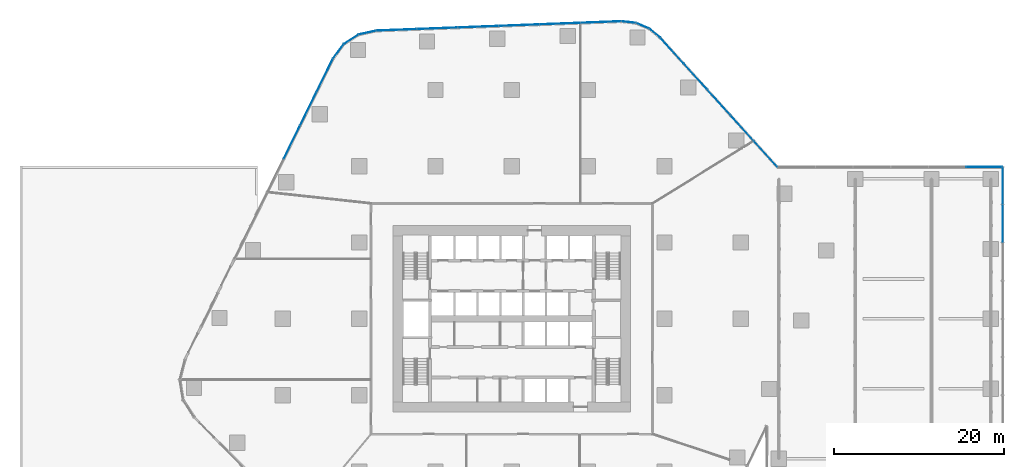
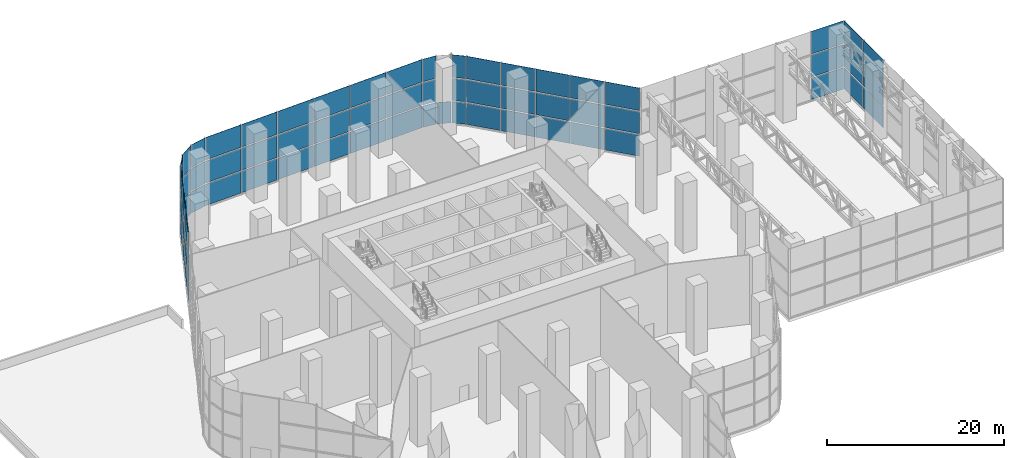
# One storey, part 14 of 21: 67 plates, 7 elements without a shape of their own.
"""IFC4 building model written with IfcOpenShell, lengths in metres."""

from ifc_helpers import new_model, si_unit, direction, frame, origin, origin_2d, place, context, subcontext, project, spatial, rectangle, extrude, material, layer, layer_set, type_object, element, aggregate, save


model = new_model("IFC4")

# Units and contexts
model_context = context("Model", 3, precision=1e-05, world=origin(), true_north=direction((0.0, 1.0)))
body_context = subcontext(model_context, "Body", "Model", "MODEL_VIEW")
ifc_project = project(units=[si_unit("LENGTHUNIT", "METRE"), si_unit("AREAUNIT", "SQUARE_METRE"), si_unit("VOLUMEUNIT", "CUBIC_METRE"), si_unit("PLANEANGLEUNIT", "RADIAN"), si_unit("MASSUNIT", "GRAM", prefix="KILO")], contexts=[model_context])

# Site, building, storey
site_placement = place(None, origin())
site = spatial("IfcSite", under=ifc_project, at=site_placement, CompositionType="ELEMENT")
building_placement = place(site_placement, origin())
building = spatial("IfcBuilding", under=site, at=building_placement, Name="Dongbaek Canopy Tower", CompositionType="ELEMENT")
storey_placement = place(building_placement, frame((0.0, 0.0, 9.0)))
storey = spatial("IfcBuildingStorey", under=building, at=storey_placement, Name="L01", CompositionType="ELEMENT", Elevation=9.0)

# Curtain wall, plates
ifc_material_1 = material(Name="Aluminium 6063-T6 pale anodised", Category="aluminium")
ifc_layer_1 = layer(ifc_material_1, 0.300048828125)
ifc_layer_set_1 = layer_set([ifc_layer_1], Name="CW-2 podium hall curtain wall")
curtain_wall_type = type_object("IfcCurtainWallType", Name="CW-2 podium hall curtain wall", PredefinedType="NOTDEFINED", material=ifc_layer_set_1)
curtain_wall_1_placement = place(storey_placement, origin())
curtain_wall_1 = element("IfcCurtainWall", 1, at=curtain_wall_1_placement, inside=storey, type_object=curtain_wall_type, Name="CW-2 curtain wall F3.1", PredefinedType="NOTDEFINED")
ifc_material_2 = material(Name="Clear laminated glass", Category="glass")
ifc_layer_2 = layer(ifc_material_2, 0.035888671875)
ifc_layer_set_2 = layer_set([ifc_layer_2], Name="CW-2 glazed panel 36")
plate_type_1 = type_object("IfcPlateType", Name="CW-2 glazed panel 36", PredefinedType="CURTAIN_PANEL", material=ifc_layer_set_2)
plate_1_placement = place(storey_placement, frame((57.89990234375, 11.25, 0.159912109375), z_axis=(0.0, 0.0, 1.0), x_axis=(0.0, 1.0, 0.0)))
plate_1 = element("IfcPlate", 2, at=plate_1_placement, type_object=plate_type_1, Name="CW-2 panel F3.1.7.1", PredefinedType="CURTAIN_PANEL", context=body_context, shape_type="SweptSolid", body=[
    extrude(rectangle(XDim=4.39599609375, YDim=0.035888671875, at=origin_2d()), origin(), (0.0, 0.0, 1.0), 2.943359375),
])
plate_2_placement = place(storey_placement, frame((57.89990234375, 11.25, 3.26318359375), z_axis=(0.0, 0.0, 1.0), x_axis=(0.0, 1.0, 0.0)))
plate_2 = element("IfcPlate", 3, at=plate_2_placement, type_object=plate_type_1, Name="CW-2 panel F3.1.7.2", PredefinedType="CURTAIN_PANEL", context=body_context, shape_type="SweptSolid", body=[
    extrude(rectangle(XDim=4.39599609375, YDim=0.035888671875, at=origin_2d()), origin(), (0.0, 0.0, 1.0), 3.0234375),
])
plate_3_placement = place(storey_placement, frame((57.89990234375, 15.699951171875, 0.159912109375), z_axis=(0.0, 0.0, 1.0), x_axis=(0.0, 1.0, 0.0)))
plate_3 = element("IfcPlate", 4, at=plate_3_placement, type_object=plate_type_1, Name="CW-2 panel F3.1.8.1", PredefinedType="CURTAIN_PANEL", context=body_context, shape_type="SweptSolid", body=[
    extrude(rectangle(XDim=4.2958984375, YDim=0.035888671875, at=origin_2d()), origin(), (0.0, 0.0, 1.0), 2.943359375),
])
plate_4_placement = place(storey_placement, frame((57.89990234375, 15.699951171875, 3.26318359375), z_axis=(0.0, 0.0, 1.0), x_axis=(0.0, 1.0, 0.0)))
plate_4 = element("IfcPlate", 5, at=plate_4_placement, type_object=plate_type_1, Name="CW-2 panel F3.1.8.2", PredefinedType="CURTAIN_PANEL", context=body_context, shape_type="SweptSolid", body=[
    extrude(rectangle(XDim=4.2958984375, YDim=0.035888671875, at=origin_2d()), origin(), (0.0, 0.0, 1.0), 3.0234375),
])

curtain_wall_2_placement = place(storey_placement, origin())
curtain_wall_2 = element("IfcCurtainWall", 6, at=curtain_wall_2_placement, inside=storey, type_object=curtain_wall_type, Name="CW-2 curtain wall F4.1", PredefinedType="NOTDEFINED")
plate_5_placement = place(storey_placement, frame((55.73193359375, 17.89990234375, 0.159912109375), z_axis=(0.0, 0.0, 1.0), x_axis=(-1.0, 0.0, 0.0)))
plate_5 = element("IfcPlate", 7, at=plate_5_placement, type_object=plate_type_1, Name="CW-2 panel F4.1.1.1", PredefinedType="CURTAIN_PANEL", context=body_context, shape_type="SweptSolid", body=[
    extrude(rectangle(XDim=4.232177734375, YDim=0.035888671875, at=origin_2d()), origin(), (0.0, 0.0, 1.0), 2.943359375),
])
plate_6_placement = place(storey_placement, frame((55.73193359375, 17.89990234375, 3.26318359375), z_axis=(0.0, 0.0, 1.0), x_axis=(-1.0, 0.0, 0.0)))
plate_6 = element("IfcPlate", 8, at=plate_6_placement, type_object=plate_type_1, Name="CW-2 panel F4.1.1.2", PredefinedType="CURTAIN_PANEL", context=body_context, shape_type="SweptSolid", body=[
    extrude(rectangle(XDim=4.232177734375, YDim=0.035888671875, at=origin_2d()), origin(), (0.0, 0.0, 1.0), 3.0234375),
])

curtain_wall_3_placement = place(storey_placement, origin())
curtain_wall_3 = element("IfcCurtainWall", 9, at=curtain_wall_3_placement, inside=storey, type_object=curtain_wall_type, Name="CW-2 curtain wall F5.1", PredefinedType="NOTDEFINED")
plate_7_placement = place(storey_placement, frame((29.94482421875, 19.43896484375, 0.159912109375), z_axis=(0.0, 0.0, 1.0), x_axis=(-0.671259707711, 0.741222237121, 0.0)))
plate_7 = element("IfcPlate", 10, at=plate_7_placement, type_object=plate_type_1, Name="CW-2 panel F5.1.1.1", PredefinedType="CURTAIN_PANEL", context=body_context, shape_type="SweptSolid", body=[
    extrude(rectangle(XDim=4.04833984375, YDim=0.035888671875, at=origin_2d()), origin(), (0.0, 0.0, 1.0), 2.943359375),
])
plate_8_placement = place(storey_placement, frame((29.94482421875, 19.43896484375, 3.26318359375), z_axis=(0.0, 0.0, 1.0), x_axis=(-0.671259707711, 0.741222237121, 0.0)))
plate_8 = element("IfcPlate", 11, at=plate_8_placement, type_object=plate_type_1, Name="CW-2 panel F5.1.1.2", PredefinedType="CURTAIN_PANEL", context=body_context, shape_type="SweptSolid", body=[
    extrude(rectangle(XDim=4.04833984375, YDim=0.035888671875, at=origin_2d()), origin(), (0.0, 0.0, 1.0), 3.0234375),
])
plate_9_placement = place(storey_placement, frame((29.94482421875, 19.43896484375, 6.44677734375), z_axis=(0.0, 0.0, 1.0), x_axis=(-0.671259707711, 0.741222237121, 0.0)))
plate_9 = element("IfcPlate", 12, at=plate_9_placement, type_object=plate_type_1, Name="CW-2 panel F5.1.1.3", PredefinedType="CURTAIN_PANEL", context=body_context, shape_type="SweptSolid", body=[
    extrude(rectangle(XDim=4.04833984375, YDim=0.035888671875, at=origin_2d()), origin(), (0.0, 0.0, 1.0), 3.103271484375),
])
plate_10_placement = place(storey_placement, frame((27.172607421875, 22.500244140625, 0.159912109375), z_axis=(0.0, 0.0, 1.0), x_axis=(-0.671259707711, 0.741222237121, 0.0)))
plate_10 = element("IfcPlate", 13, at=plate_10_placement, type_object=plate_type_1, Name="CW-2 panel F5.1.2.1", PredefinedType="CURTAIN_PANEL", context=body_context, shape_type="SweptSolid", body=[
    extrude(rectangle(XDim=4.00390625, YDim=0.035888671875, at=origin_2d()), origin(), (0.0, 0.0, 1.0), 2.943359375),
])
plate_11_placement = place(storey_placement, frame((27.172607421875, 22.500244140625, 3.26318359375), z_axis=(0.0, 0.0, 1.0), x_axis=(-0.671259707711, 0.741222237121, 0.0)))
plate_11 = element("IfcPlate", 14, at=plate_11_placement, type_object=plate_type_1, Name="CW-2 panel F5.1.2.2", PredefinedType="CURTAIN_PANEL", context=body_context, shape_type="SweptSolid", body=[
    extrude(rectangle(XDim=4.00390625, YDim=0.035888671875, at=origin_2d()), origin(), (0.0, 0.0, 1.0), 3.0234375),
])
plate_12_placement = place(storey_placement, frame((27.172607421875, 22.500244140625, 6.44677734375), z_axis=(0.0, 0.0, 1.0), x_axis=(-0.671259707711, 0.741222237121, 0.0)))
plate_12 = element("IfcPlate", 15, at=plate_12_placement, type_object=plate_type_1, Name="CW-2 panel F5.1.2.3", PredefinedType="CURTAIN_PANEL", context=body_context, shape_type="SweptSolid", body=[
    extrude(rectangle(XDim=4.00390625, YDim=0.035888671875, at=origin_2d()), origin(), (0.0, 0.0, 1.0), 3.103271484375),
])
plate_13_placement = place(storey_placement, frame((24.4150390625, 25.544921875, 0.159912109375), z_axis=(0.0, 0.0, 1.0), x_axis=(-0.671259707711, 0.741222237121, 0.0)))
plate_13 = element("IfcPlate", 16, at=plate_13_placement, type_object=plate_type_1, Name="CW-2 panel F5.1.3.1", PredefinedType="CURTAIN_PANEL", context=body_context, shape_type="SweptSolid", body=[
    extrude(rectangle(XDim=4.00390625, YDim=0.035888671875, at=origin_2d()), origin(), (0.0, 0.0, 1.0), 2.943359375),
])
plate_14_placement = place(storey_placement, frame((24.4150390625, 25.544921875, 3.26318359375), z_axis=(0.0, 0.0, 1.0), x_axis=(-0.671259707711, 0.741222237121, 0.0)))
plate_14 = element("IfcPlate", 17, at=plate_14_placement, type_object=plate_type_1, Name="CW-2 panel F5.1.3.2", PredefinedType="CURTAIN_PANEL", context=body_context, shape_type="SweptSolid", body=[
    extrude(rectangle(XDim=4.00390625, YDim=0.035888671875, at=origin_2d()), origin(), (0.0, 0.0, 1.0), 3.0234375),
])
plate_15_placement = place(storey_placement, frame((24.4150390625, 25.544921875, 6.44677734375), z_axis=(0.0, 0.0, 1.0), x_axis=(-0.671259707711, 0.741222237121, 0.0)))
plate_15 = element("IfcPlate", 18, at=plate_15_placement, type_object=plate_type_1, Name="CW-2 panel F5.1.3.3", PredefinedType="CURTAIN_PANEL", context=body_context, shape_type="SweptSolid", body=[
    extrude(rectangle(XDim=4.00390625, YDim=0.035888671875, at=origin_2d()), origin(), (0.0, 0.0, 1.0), 3.103271484375),
])
plate_16_placement = place(storey_placement, frame((21.65771484375, 28.58984375, 0.159912109375), z_axis=(0.0, 0.0, 1.0), x_axis=(-0.671259707711, 0.741222237121, 0.0)))
plate_16 = element("IfcPlate", 19, at=plate_16_placement, type_object=plate_type_1, Name="CW-2 panel F5.1.4.1", PredefinedType="CURTAIN_PANEL", context=body_context, shape_type="SweptSolid", body=[
    extrude(rectangle(XDim=4.00390625, YDim=0.035888671875, at=origin_2d()), origin(), (0.0, 0.0, 1.0), 2.943359375),
])
plate_17_placement = place(storey_placement, frame((21.65771484375, 28.58984375, 3.26318359375), z_axis=(0.0, 0.0, 1.0), x_axis=(-0.671259707711, 0.741222237121, 0.0)))
plate_17 = element("IfcPlate", 20, at=plate_17_placement, type_object=plate_type_1, Name="CW-2 panel F5.1.4.2", PredefinedType="CURTAIN_PANEL", context=body_context, shape_type="SweptSolid", body=[
    extrude(rectangle(XDim=4.00390625, YDim=0.035888671875, at=origin_2d()), origin(), (0.0, 0.0, 1.0), 3.0234375),
])
plate_18_placement = place(storey_placement, frame((21.65771484375, 28.58984375, 6.44677734375), z_axis=(0.0, 0.0, 1.0), x_axis=(-0.671259707711, 0.741222237121, 0.0)))
plate_18 = element("IfcPlate", 21, at=plate_18_placement, type_object=plate_type_1, Name="CW-2 panel F5.1.4.3", PredefinedType="CURTAIN_PANEL", context=body_context, shape_type="SweptSolid", body=[
    extrude(rectangle(XDim=4.00390625, YDim=0.035888671875, at=origin_2d()), origin(), (0.0, 0.0, 1.0), 3.103271484375),
])
plate_19_placement = place(storey_placement, frame((18.902587890625, 31.632080078125, 0.159912109375), z_axis=(0.0, 0.0, 1.0), x_axis=(-0.671259707711, 0.741222237121, 0.0)))
plate_19 = element("IfcPlate", 22, at=plate_19_placement, type_object=plate_type_1, Name="CW-2 panel F5.1.5.1", PredefinedType="CURTAIN_PANEL", context=body_context, shape_type="SweptSolid", body=[
    extrude(rectangle(XDim=3.99658203125, YDim=0.035888671875, at=origin_2d()), origin(), (0.0, 0.0, 1.0), 2.943359375),
])
plate_20_placement = place(storey_placement, frame((18.902587890625, 31.632080078125, 3.26318359375), z_axis=(0.0, 0.0, 1.0), x_axis=(-0.671259707711, 0.741222237121, 0.0)))
plate_20 = element("IfcPlate", 23, at=plate_20_placement, type_object=plate_type_1, Name="CW-2 panel F5.1.5.2", PredefinedType="CURTAIN_PANEL", context=body_context, shape_type="SweptSolid", body=[
    extrude(rectangle(XDim=3.99658203125, YDim=0.035888671875, at=origin_2d()), origin(), (0.0, 0.0, 1.0), 3.0234375),
])
plate_21_placement = place(storey_placement, frame((18.902587890625, 31.632080078125, 6.44677734375), z_axis=(0.0, 0.0, 1.0), x_axis=(-0.671259707711, 0.741222237121, 0.0)))
plate_21 = element("IfcPlate", 24, at=plate_21_placement, type_object=plate_type_1, Name="CW-2 panel F5.1.5.3", PredefinedType="CURTAIN_PANEL", context=body_context, shape_type="SweptSolid", body=[
    extrude(rectangle(XDim=3.99658203125, YDim=0.035888671875, at=origin_2d()), origin(), (0.0, 0.0, 1.0), 3.103271484375),
])
aggregate(curtain_wall_3, [plate_7, plate_8, plate_9, plate_10, plate_11, plate_12, plate_13, plate_14, plate_15, plate_16, plate_17, plate_18, plate_19, plate_20, plate_21])

curtain_wall_4_placement = place(storey_placement, origin())
curtain_wall_4 = element("IfcCurtainWall", 25, at=curtain_wall_4_placement, inside=storey, type_object=curtain_wall_type, Name="CW-2 curtain wall K1.1", PredefinedType="NOTDEFINED")
plate_22_placement = place(storey_placement, frame((16.86328125, 33.6982421875, 0.159912109375), z_axis=(0.0, 0.0, 1.0), x_axis=(-0.771648517797, 0.636049184405, 0.0)))
plate_22 = element("IfcPlate", 26, at=plate_22_placement, type_object=plate_type_1, Name="CW-2 panel K1.1.1.1", PredefinedType="CURTAIN_PANEL", context=body_context, shape_type="SweptSolid", body=[
    extrude(rectangle(XDim=1.6142578125, YDim=0.035888671875, at=origin_2d()), origin(), (0.0, 0.0, 1.0), 2.943359375),
])
plate_23_placement = place(storey_placement, frame((16.86328125, 33.6982421875, 3.26318359375), z_axis=(0.0, 0.0, 1.0), x_axis=(-0.771648517797, 0.636049184405, 0.0)))
plate_23 = element("IfcPlate", 27, at=plate_23_placement, type_object=plate_type_1, Name="CW-2 panel K1.1.1.2", PredefinedType="CURTAIN_PANEL", context=body_context, shape_type="SweptSolid", body=[
    extrude(rectangle(XDim=1.6142578125, YDim=0.035888671875, at=origin_2d()), origin(), (0.0, 0.0, 1.0), 3.0234375),
])
plate_24_placement = place(storey_placement, frame((16.86328125, 33.6982421875, 6.44677734375), z_axis=(0.0, 0.0, 1.0), x_axis=(-0.771648517797, 0.636049184405, 0.0)))
plate_24 = element("IfcPlate", 28, at=plate_24_placement, type_object=plate_type_1, Name="CW-2 panel K1.1.1.3", PredefinedType="CURTAIN_PANEL", context=body_context, shape_type="SweptSolid", body=[
    extrude(rectangle(XDim=1.6142578125, YDim=0.035888671875, at=origin_2d()), origin(), (0.0, 0.0, 1.0), 3.103271484375),
])
plate_25_placement = place(storey_placement, frame((15.412109375, 34.576416015625, 0.159912109375), z_axis=(0.0, 0.0, 1.0), x_axis=(-0.921712269238, 0.387874325956, 0.0)))
plate_25 = element("IfcPlate", 29, at=plate_25_placement, type_object=plate_type_1, Name="CW-2 panel K1.1.2.1", PredefinedType="CURTAIN_PANEL", context=body_context, shape_type="SweptSolid", body=[
    extrude(rectangle(XDim=1.606689453125, YDim=0.035888671875, at=origin_2d()), origin(), (0.0, 0.0, 1.0), 2.943359375),
])
plate_26_placement = place(storey_placement, frame((13.76953125, 35.000244140625, 0.159912109375), z_axis=(0.0, 0.0, 1.0), x_axis=(-0.994250991543, 0.107074580622, 0.0)))
plate_26 = element("IfcPlate", 30, at=plate_26_placement, type_object=plate_type_1, Name="CW-2 panel K1.1.3.1", PredefinedType="CURTAIN_PANEL", context=body_context, shape_type="SweptSolid", body=[
    extrude(rectangle(XDim=1.6142578125, YDim=0.035888671875, at=origin_2d()), origin(), (0.0, 0.0, 1.0), 2.943359375),
])
plate_27_placement = place(storey_placement, frame((13.76953125, 35.000244140625, 3.26318359375), z_axis=(0.0, 0.0, 1.0), x_axis=(-0.994250991543, 0.107074580622, 0.0)))
plate_27 = element("IfcPlate", 31, at=plate_27_placement, type_object=plate_type_1, Name="CW-2 panel K1.1.3.2", PredefinedType="CURTAIN_PANEL", context=body_context, shape_type="SweptSolid", body=[
    extrude(rectangle(XDim=1.6142578125, YDim=0.035888671875, at=origin_2d()), origin(), (0.0, 0.0, 1.0), 3.0234375),
])
plate_28_placement = place(storey_placement, frame((13.76953125, 35.000244140625, 6.44677734375), z_axis=(0.0, 0.0, 1.0), x_axis=(-0.994250991543, 0.107074580622, 0.0)))
plate_28 = element("IfcPlate", 32, at=plate_28_placement, type_object=plate_type_1, Name="CW-2 panel K1.1.3.3", PredefinedType="CURTAIN_PANEL", context=body_context, shape_type="SweptSolid", body=[
    extrude(rectangle(XDim=1.6142578125, YDim=0.035888671875, at=origin_2d()), origin(), (0.0, 0.0, 1.0), 3.103271484375),
])
aggregate(curtain_wall_4, [plate_22, plate_23, plate_24, plate_25, plate_26, plate_27, plate_28])

curtain_wall_5_placement = place(storey_placement, origin())
curtain_wall_5 = element("IfcCurtainWall", 33, at=curtain_wall_5_placement, inside=storey, type_object=curtain_wall_type, Name="CW-2 curtain wall F6.1", PredefinedType="NOTDEFINED")
plate_29_placement = place(storey_placement, frame((10.507080078125, 35.0, 0.159912109375), z_axis=(0.0, 0.0, 1.0), x_axis=(-0.999268890746, -0.038231975991, 0.0)))
plate_29 = element("IfcPlate", 34, at=plate_29_placement, type_object=plate_type_1, Name="CW-2 panel F6.1.1.1", PredefinedType="CURTAIN_PANEL", context=body_context, shape_type="SweptSolid", body=[
    extrude(rectangle(XDim=4.716064453125, YDim=0.035888671875, at=origin_2d()), origin(), (0.0, 0.0, 1.0), 2.943359375),
])
plate_30_placement = place(storey_placement, frame((10.507080078125, 35.0, 3.26318359375), z_axis=(0.0, 0.0, 1.0), x_axis=(-0.999268890746, -0.038231975991, 0.0)))
plate_30 = element("IfcPlate", 35, at=plate_30_placement, type_object=plate_type_1, Name="CW-2 panel F6.1.1.2", PredefinedType="CURTAIN_PANEL", context=body_context, shape_type="SweptSolid", body=[
    extrude(rectangle(XDim=4.716064453125, YDim=0.035888671875, at=origin_2d()), origin(), (0.0, 0.0, 1.0), 3.0234375),
])
plate_31_placement = place(storey_placement, frame((10.507080078125, 35.0, 6.44677734375), z_axis=(0.0, 0.0, 1.0), x_axis=(-0.999268890746, -0.038231975991, 0.0)))
plate_31 = element("IfcPlate", 36, at=plate_31_placement, type_object=plate_type_1, Name="CW-2 panel F6.1.1.3", PredefinedType="CURTAIN_PANEL", context=body_context, shape_type="SweptSolid", body=[
    extrude(rectangle(XDim=4.716064453125, YDim=0.035888671875, at=origin_2d()), origin(), (0.0, 0.0, 1.0), 3.103271484375),
])
plate_32_placement = place(storey_placement, frame((5.686767578125, 34.815673828125, 0.159912109375), z_axis=(0.0, 0.0, 1.0), x_axis=(-0.999268890746, -0.038231975991, 0.0)))
plate_32 = element("IfcPlate", 37, at=plate_32_placement, type_object=plate_type_1, Name="CW-2 panel F6.1.2.1", PredefinedType="CURTAIN_PANEL", context=body_context, shape_type="SweptSolid", body=[
    extrude(rectangle(XDim=4.723388671875, YDim=0.035888671875, at=origin_2d()), origin(), (0.0, 0.0, 1.0), 2.943359375),
])
plate_33_placement = place(storey_placement, frame((5.686767578125, 34.815673828125, 3.26318359375), z_axis=(0.0, 0.0, 1.0), x_axis=(-0.999268890746, -0.038231975991, 0.0)))
plate_33 = element("IfcPlate", 38, at=plate_33_placement, type_object=plate_type_1, Name="CW-2 panel F6.1.2.2", PredefinedType="CURTAIN_PANEL", context=body_context, shape_type="SweptSolid", body=[
    extrude(rectangle(XDim=4.723388671875, YDim=0.035888671875, at=origin_2d()), origin(), (0.0, 0.0, 1.0), 3.0234375),
])
plate_34_placement = place(storey_placement, frame((5.686767578125, 34.815673828125, 6.44677734375), z_axis=(0.0, 0.0, 1.0), x_axis=(-0.999268890746, -0.038231975991, 0.0)))
plate_34 = element("IfcPlate", 39, at=plate_34_placement, type_object=plate_type_1, Name="CW-2 panel F6.1.2.3", PredefinedType="CURTAIN_PANEL", context=body_context, shape_type="SweptSolid", body=[
    extrude(rectangle(XDim=4.723388671875, YDim=0.035888671875, at=origin_2d()), origin(), (0.0, 0.0, 1.0), 3.103271484375),
])
plate_35_placement = place(storey_placement, frame((0.86279296875, 34.631103515625, 0.159912109375), z_axis=(0.0, 0.0, 1.0), x_axis=(-0.999268890746, -0.038231975991, 0.0)))
plate_35 = element("IfcPlate", 40, at=plate_35_placement, type_object=plate_type_1, Name="CW-2 panel F6.1.3.1", PredefinedType="CURTAIN_PANEL", context=body_context, shape_type="SweptSolid", body=[
    extrude(rectangle(XDim=4.723388671875, YDim=0.035888671875, at=origin_2d()), origin(), (0.0, 0.0, 1.0), 2.943359375),
])
plate_36_placement = place(storey_placement, frame((0.86279296875, 34.631103515625, 3.26318359375), z_axis=(0.0, 0.0, 1.0), x_axis=(-0.999268890746, -0.038231975991, 0.0)))
plate_36 = element("IfcPlate", 41, at=plate_36_placement, type_object=plate_type_1, Name="CW-2 panel F6.1.3.2", PredefinedType="CURTAIN_PANEL", context=body_context, shape_type="SweptSolid", body=[
    extrude(rectangle(XDim=4.723388671875, YDim=0.035888671875, at=origin_2d()), origin(), (0.0, 0.0, 1.0), 3.0234375),
])
plate_37_placement = place(storey_placement, frame((0.86279296875, 34.631103515625, 6.44677734375), z_axis=(0.0, 0.0, 1.0), x_axis=(-0.999268890746, -0.038231975991, 0.0)))
plate_37 = element("IfcPlate", 42, at=plate_37_placement, type_object=plate_type_1, Name="CW-2 panel F6.1.3.3", PredefinedType="CURTAIN_PANEL", context=body_context, shape_type="SweptSolid", body=[
    extrude(rectangle(XDim=4.723388671875, YDim=0.035888671875, at=origin_2d()), origin(), (0.0, 0.0, 1.0), 3.103271484375),
])
plate_38_placement = place(storey_placement, frame((-3.9609375, 34.446533203125, 0.159912109375), z_axis=(0.0, 0.0, 1.0), x_axis=(-0.999268890746, -0.038231975991, 0.0)))
plate_38 = element("IfcPlate", 43, at=plate_38_placement, type_object=plate_type_1, Name="CW-2 panel F6.1.4.1", PredefinedType="CURTAIN_PANEL", context=body_context, shape_type="SweptSolid", body=[
    extrude(rectangle(XDim=4.723388671875, YDim=0.035888671875, at=origin_2d()), origin(), (0.0, 0.0, 1.0), 2.943359375),
])
plate_39_placement = place(storey_placement, frame((-3.9609375, 34.446533203125, 3.26318359375), z_axis=(0.0, 0.0, 1.0), x_axis=(-0.999268890746, -0.038231975991, 0.0)))
plate_39 = element("IfcPlate", 44, at=plate_39_placement, type_object=plate_type_1, Name="CW-2 panel F6.1.4.2", PredefinedType="CURTAIN_PANEL", context=body_context, shape_type="SweptSolid", body=[
    extrude(rectangle(XDim=4.723388671875, YDim=0.035888671875, at=origin_2d()), origin(), (0.0, 0.0, 1.0), 3.0234375),
])
plate_40_placement = place(storey_placement, frame((-3.9609375, 34.446533203125, 6.44677734375), z_axis=(0.0, 0.0, 1.0), x_axis=(-0.999268890746, -0.038231975991, 0.0)))
plate_40 = element("IfcPlate", 45, at=plate_40_placement, type_object=plate_type_1, Name="CW-2 panel F6.1.4.3", PredefinedType="CURTAIN_PANEL", context=body_context, shape_type="SweptSolid", body=[
    extrude(rectangle(XDim=4.723388671875, YDim=0.035888671875, at=origin_2d()), origin(), (0.0, 0.0, 1.0), 3.103271484375),
])
plate_41_placement = place(storey_placement, frame((-8.784912109375, 34.261962890625, 0.159912109375), z_axis=(0.0, 0.0, 1.0), x_axis=(-0.999268890746, -0.038231975991, 0.0)))
plate_41 = element("IfcPlate", 46, at=plate_41_placement, type_object=plate_type_1, Name="CW-2 panel F6.1.5.1", PredefinedType="CURTAIN_PANEL", context=body_context, shape_type="SweptSolid", body=[
    extrude(rectangle(XDim=4.723388671875, YDim=0.035888671875, at=origin_2d()), origin(), (0.0, 0.0, 1.0), 2.943359375),
])
plate_42_placement = place(storey_placement, frame((-8.784912109375, 34.261962890625, 3.26318359375), z_axis=(0.0, 0.0, 1.0), x_axis=(-0.999268890746, -0.038231975991, 0.0)))
plate_42 = element("IfcPlate", 47, at=plate_42_placement, type_object=plate_type_1, Name="CW-2 panel F6.1.5.2", PredefinedType="CURTAIN_PANEL", context=body_context, shape_type="SweptSolid", body=[
    extrude(rectangle(XDim=4.723388671875, YDim=0.035888671875, at=origin_2d()), origin(), (0.0, 0.0, 1.0), 3.0234375),
])
plate_43_placement = place(storey_placement, frame((-8.784912109375, 34.261962890625, 6.44677734375), z_axis=(0.0, 0.0, 1.0), x_axis=(-0.999268890746, -0.038231975991, 0.0)))
plate_43 = element("IfcPlate", 48, at=plate_43_placement, type_object=plate_type_1, Name="CW-2 panel F6.1.5.3", PredefinedType="CURTAIN_PANEL", context=body_context, shape_type="SweptSolid", body=[
    extrude(rectangle(XDim=4.723388671875, YDim=0.035888671875, at=origin_2d()), origin(), (0.0, 0.0, 1.0), 3.103271484375),
])
plate_44_placement = place(storey_placement, frame((-13.604248046875, 34.07763671875, 0.159912109375), z_axis=(0.0, 0.0, 1.0), x_axis=(-0.999268890746, -0.038231975991, 0.0)))
plate_44 = element("IfcPlate", 49, at=plate_44_placement, type_object=plate_type_1, Name="CW-2 panel F6.1.6.1", PredefinedType="CURTAIN_PANEL", context=body_context, shape_type="SweptSolid", body=[
    extrude(rectangle(XDim=4.71435546875, YDim=0.035888671875, at=origin_2d()), origin(), (0.0, 0.0, 1.0), 2.943359375),
])
plate_45_placement = place(storey_placement, frame((-13.604248046875, 34.07763671875, 3.26318359375), z_axis=(0.0, 0.0, 1.0), x_axis=(-0.999268890746, -0.038231975991, 0.0)))
plate_45 = element("IfcPlate", 50, at=plate_45_placement, type_object=plate_type_1, Name="CW-2 panel F6.1.6.2", PredefinedType="CURTAIN_PANEL", context=body_context, shape_type="SweptSolid", body=[
    extrude(rectangle(XDim=4.71435546875, YDim=0.035888671875, at=origin_2d()), origin(), (0.0, 0.0, 1.0), 3.0234375),
])
plate_46_placement = place(storey_placement, frame((-13.604248046875, 34.07763671875, 6.44677734375), z_axis=(0.0, 0.0, 1.0), x_axis=(-0.999268890746, -0.038231975991, 0.0)))
plate_46 = element("IfcPlate", 51, at=plate_46_placement, type_object=plate_type_1, Name="CW-2 panel F6.1.6.3", PredefinedType="CURTAIN_PANEL", context=body_context, shape_type="SweptSolid", body=[
    extrude(rectangle(XDim=4.71435546875, YDim=0.035888671875, at=origin_2d()), origin(), (0.0, 0.0, 1.0), 3.103271484375),
])
aggregate(curtain_wall_5, [plate_29, plate_30, plate_31, plate_32, plate_33, plate_34, plate_35, plate_36, plate_37, plate_38, plate_39, plate_40, plate_41, plate_42, plate_43, plate_44, plate_45, plate_46])

curtain_wall_6_placement = place(storey_placement, origin())
curtain_wall_6 = element("IfcCurtainWall", 52, at=curtain_wall_6_placement, inside=storey, type_object=curtain_wall_type, Name="CW-2 curtain wall K2.1", PredefinedType="NOTDEFINED")
plate_47_placement = place(storey_placement, frame((-17.04296875, 33.757568359375, 0.159912109375), z_axis=(0.0, 0.0, 1.0), x_axis=(-0.976443135991, -0.215774887734, 0.0)))
plate_47 = element("IfcPlate", 53, at=plate_47_placement, type_object=plate_type_1, Name="CW-2 panel K2.1.1.1", PredefinedType="CURTAIN_PANEL", context=body_context, shape_type="SweptSolid", body=[
    extrude(rectangle(XDim=2.00830078125, YDim=0.035888671875, at=origin_2d()), origin(), (0.0, 0.0, 1.0), 2.943359375),
])
plate_48_placement = place(storey_placement, frame((-17.04296875, 33.757568359375, 3.26318359375), z_axis=(0.0, 0.0, 1.0), x_axis=(-0.976443135991, -0.215774887734, 0.0)))
plate_48 = element("IfcPlate", 54, at=plate_48_placement, type_object=plate_type_1, Name="CW-2 panel K2.1.1.2", PredefinedType="CURTAIN_PANEL", context=body_context, shape_type="SweptSolid", body=[
    extrude(rectangle(XDim=2.00830078125, YDim=0.035888671875, at=origin_2d()), origin(), (0.0, 0.0, 1.0), 3.0234375),
])
plate_49_placement = place(storey_placement, frame((-17.04296875, 33.757568359375, 6.44677734375), z_axis=(0.0, 0.0, 1.0), x_axis=(-0.976443135991, -0.215774887734, 0.0)))
plate_49 = element("IfcPlate", 55, at=plate_49_placement, type_object=plate_type_1, Name="CW-2 panel K2.1.1.3", PredefinedType="CURTAIN_PANEL", context=body_context, shape_type="SweptSolid", body=[
    extrude(rectangle(XDim=2.00830078125, YDim=0.035888671875, at=origin_2d()), origin(), (0.0, 0.0, 1.0), 3.103271484375),
])
plate_50_placement = place(storey_placement, frame((-18.956298828125, 32.956787109375, 0.159912109375), z_axis=(0.0, 0.0, 1.0), x_axis=(-0.83866333439, -0.544650173552, 0.0)))
plate_50 = element("IfcPlate", 56, at=plate_50_placement, type_object=plate_type_1, Name="CW-2 panel K2.1.2.1", PredefinedType="CURTAIN_PANEL", context=body_context, shape_type="SweptSolid", body=[
    extrude(rectangle(XDim=1.999267578125, YDim=0.035888671875, at=origin_2d()), origin(), (0.0, 0.0, 1.0), 2.943359375),
])
plate_51_placement = place(storey_placement, frame((-18.956298828125, 32.956787109375, 3.26318359375), z_axis=(0.0, 0.0, 1.0), x_axis=(-0.83866333439, -0.544650173552, 0.0)))
plate_51 = element("IfcPlate", 57, at=plate_51_placement, type_object=plate_type_1, Name="CW-2 panel K2.1.2.2", PredefinedType="CURTAIN_PANEL", context=body_context, shape_type="SweptSolid", body=[
    extrude(rectangle(XDim=1.999267578125, YDim=0.035888671875, at=origin_2d()), origin(), (0.0, 0.0, 1.0), 3.0234375),
])
plate_52_placement = place(storey_placement, frame((-18.956298828125, 32.956787109375, 6.44677734375), z_axis=(0.0, 0.0, 1.0), x_axis=(-0.83866333439, -0.544650173552, 0.0)))
plate_52 = element("IfcPlate", 58, at=plate_52_placement, type_object=plate_type_1, Name="CW-2 panel K2.1.2.3", PredefinedType="CURTAIN_PANEL", context=body_context, shape_type="SweptSolid", body=[
    extrude(rectangle(XDim=1.999267578125, YDim=0.035888671875, at=origin_2d()), origin(), (0.0, 0.0, 1.0), 3.103271484375),
])
plate_53_placement = place(storey_placement, frame((-20.4658203125, 31.53466796875, 0.159912109375), z_axis=(0.0, 0.0, 1.0), x_axis=(-0.594253266515, -0.804277971373, 0.0)))
plate_53 = element("IfcPlate", 59, at=plate_53_placement, type_object=plate_type_1, Name="CW-2 panel K2.1.3.1", PredefinedType="CURTAIN_PANEL", context=body_context, shape_type="SweptSolid", body=[
    extrude(rectangle(XDim=2.00830078125, YDim=0.035888671875, at=origin_2d()), origin(), (0.0, 0.0, 1.0), 2.943359375),
])
plate_54_placement = place(storey_placement, frame((-20.4658203125, 31.53466796875, 3.26318359375), z_axis=(0.0, 0.0, 1.0), x_axis=(-0.594253266515, -0.804277971373, 0.0)))
plate_54 = element("IfcPlate", 60, at=plate_54_placement, type_object=plate_type_1, Name="CW-2 panel K2.1.3.2", PredefinedType="CURTAIN_PANEL", context=body_context, shape_type="SweptSolid", body=[
    extrude(rectangle(XDim=2.00830078125, YDim=0.035888671875, at=origin_2d()), origin(), (0.0, 0.0, 1.0), 3.0234375),
])
plate_55_placement = place(storey_placement, frame((-20.4658203125, 31.53466796875, 6.44677734375), z_axis=(0.0, 0.0, 1.0), x_axis=(-0.594253266515, -0.804277971373, 0.0)))
plate_55 = element("IfcPlate", 61, at=plate_55_placement, type_object=plate_type_1, Name="CW-2 panel K2.1.3.3", PredefinedType="CURTAIN_PANEL", context=body_context, shape_type="SweptSolid", body=[
    extrude(rectangle(XDim=2.00830078125, YDim=0.035888671875, at=origin_2d()), origin(), (0.0, 0.0, 1.0), 3.103271484375),
])
aggregate(curtain_wall_6, [plate_47, plate_48, plate_49, plate_50, plate_51, plate_52, plate_53, plate_54, plate_55])

curtain_wall_7_placement = place(storey_placement, origin())
curtain_wall_7 = element("IfcCurtainWall", 62, at=curtain_wall_7_placement, inside=storey, type_object=curtain_wall_type, Name="CW-2 curtain wall F7.1", PredefinedType="NOTDEFINED")
plate_56_placement = place(storey_placement, frame((-22.062255859375, 28.71533203125, 0.159912109375), z_axis=(0.0, 0.0, 1.0), x_axis=(-0.441341613378, -0.897339166815, 0.0)))
plate_56 = element("IfcPlate", 63, at=plate_56_placement, type_object=plate_type_1, Name="CW-2 panel F7.1.1.1", PredefinedType="CURTAIN_PANEL", context=body_context, shape_type="SweptSolid", body=[
    extrude(rectangle(XDim=4.286376953125, YDim=0.035888671875, at=origin_2d()), origin(), (0.0, 0.0, 1.0), 2.943359375),
])
plate_57_placement = place(storey_placement, frame((-22.062255859375, 28.71533203125, 3.26318359375), z_axis=(0.0, 0.0, 1.0), x_axis=(-0.441341613378, -0.897339166815, 0.0)))
plate_57 = element("IfcPlate", 64, at=plate_57_placement, type_object=plate_type_1, Name="CW-2 panel F7.1.1.2", PredefinedType="CURTAIN_PANEL", context=body_context, shape_type="SweptSolid", body=[
    extrude(rectangle(XDim=4.286376953125, YDim=0.035888671875, at=origin_2d()), origin(), (0.0, 0.0, 1.0), 3.0234375),
])
plate_58_placement = place(storey_placement, frame((-22.062255859375, 28.71533203125, 6.44677734375), z_axis=(0.0, 0.0, 1.0), x_axis=(-0.441341613378, -0.897339166815, 0.0)))
plate_58 = element("IfcPlate", 65, at=plate_58_placement, type_object=plate_type_1, Name="CW-2 panel F7.1.1.3", PredefinedType="CURTAIN_PANEL", context=body_context, shape_type="SweptSolid", body=[
    extrude(rectangle(XDim=4.286376953125, YDim=0.035888671875, at=origin_2d()), origin(), (0.0, 0.0, 1.0), 3.103271484375),
])
plate_59_placement = place(storey_placement, frame((-24.001953125, 24.771484375, 0.159912109375), z_axis=(0.0, 0.0, 1.0), x_axis=(-0.441341613378, -0.897339166815, 0.0)))
plate_59 = element("IfcPlate", 66, at=plate_59_placement, type_object=plate_type_1, Name="CW-2 panel F7.1.2.1", PredefinedType="CURTAIN_PANEL", context=body_context, shape_type="SweptSolid", body=[
    extrude(rectangle(XDim=4.29541015625, YDim=0.035888671875, at=origin_2d()), origin(), (0.0, 0.0, 1.0), 2.943359375),
])
plate_60_placement = place(storey_placement, frame((-24.001953125, 24.771484375, 3.26318359375), z_axis=(0.0, 0.0, 1.0), x_axis=(-0.441341613378, -0.897339166815, 0.0)))
plate_60 = element("IfcPlate", 67, at=plate_60_placement, type_object=plate_type_1, Name="CW-2 panel F7.1.2.2", PredefinedType="CURTAIN_PANEL", context=body_context, shape_type="SweptSolid", body=[
    extrude(rectangle(XDim=4.29541015625, YDim=0.035888671875, at=origin_2d()), origin(), (0.0, 0.0, 1.0), 3.0234375),
])
plate_61_placement = place(storey_placement, frame((-24.001953125, 24.771484375, 6.44677734375), z_axis=(0.0, 0.0, 1.0), x_axis=(-0.441341613378, -0.897339166815, 0.0)))
plate_61 = element("IfcPlate", 68, at=plate_61_placement, type_object=plate_type_1, Name="CW-2 panel F7.1.2.3", PredefinedType="CURTAIN_PANEL", context=body_context, shape_type="SweptSolid", body=[
    extrude(rectangle(XDim=4.29541015625, YDim=0.035888671875, at=origin_2d()), origin(), (0.0, 0.0, 1.0), 3.103271484375),
])
plate_62_placement = place(storey_placement, frame((-25.943603515625, 20.82373046875, 0.159912109375), z_axis=(0.0, 0.0, 1.0), x_axis=(-0.441341613378, -0.897339166815, 0.0)))
plate_62 = element("IfcPlate", 69, at=plate_62_placement, type_object=plate_type_1, Name="CW-2 panel F7.1.3.1", PredefinedType="CURTAIN_PANEL", context=body_context, shape_type="SweptSolid", body=[
    extrude(rectangle(XDim=4.29541015625, YDim=0.035888671875, at=origin_2d()), origin(), (0.0, 0.0, 1.0), 2.943359375),
])
plate_63_placement = place(storey_placement, frame((-25.943603515625, 20.82373046875, 3.26318359375), z_axis=(0.0, 0.0, 1.0), x_axis=(-0.441341613378, -0.897339166815, 0.0)))
plate_63 = element("IfcPlate", 70, at=plate_63_placement, type_object=plate_type_1, Name="CW-2 panel F7.1.3.2", PredefinedType="CURTAIN_PANEL", context=body_context, shape_type="SweptSolid", body=[
    extrude(rectangle(XDim=4.29541015625, YDim=0.035888671875, at=origin_2d()), origin(), (0.0, 0.0, 1.0), 3.0234375),
])
plate_64_placement = place(storey_placement, frame((-25.943603515625, 20.82373046875, 6.44677734375), z_axis=(0.0, 0.0, 1.0), x_axis=(-0.441341613378, -0.897339166815, 0.0)))
plate_64 = element("IfcPlate", 71, at=plate_64_placement, type_object=plate_type_1, Name="CW-2 panel F7.1.3.3", PredefinedType="CURTAIN_PANEL", context=body_context, shape_type="SweptSolid", body=[
    extrude(rectangle(XDim=4.29541015625, YDim=0.035888671875, at=origin_2d()), origin(), (0.0, 0.0, 1.0), 3.103271484375),
])
aggregate(curtain_wall_7, [plate_56, plate_57, plate_58, plate_59, plate_60, plate_61, plate_62, plate_63, plate_64])

# Plate
ifc_material_3 = material(Name="Insulated aluminium spandrel panel", Category="aluminium")
ifc_layer_3 = layer(ifc_material_3, 0.035888671875)
ifc_layer_set_3 = layer_set([ifc_layer_3], Name="CW-2 spandrel panel 36")
plate_type_2 = type_object("IfcPlateType", Name="CW-2 spandrel panel 36", PredefinedType="CURTAIN_PANEL", material=ifc_layer_set_3)
plate_65_placement = place(storey_placement, frame((57.89990234375, 11.25, 6.44677734375), z_axis=(0.0, 0.0, 1.0), x_axis=(0.0, 1.0, 0.0)))
plate_65 = element("IfcPlate", 72, at=plate_65_placement, type_object=plate_type_2, Name="CW-2 panel F3.1.7.3", PredefinedType="CURTAIN_PANEL", context=body_context, shape_type="SweptSolid", body=[
    extrude(rectangle(XDim=4.39599609375, YDim=0.035888671875, at=origin_2d()), origin(), (0.0, 0.0, 1.0), 3.103271484375),
])

plate_66_placement = place(storey_placement, frame((57.89990234375, 15.699951171875, 6.44677734375), z_axis=(0.0, 0.0, 1.0), x_axis=(0.0, 1.0, 0.0)))
plate_66 = element("IfcPlate", 73, at=plate_66_placement, type_object=plate_type_2, Name="CW-2 panel F3.1.8.3", PredefinedType="CURTAIN_PANEL", context=body_context, shape_type="SweptSolid", body=[
    extrude(rectangle(XDim=4.2958984375, YDim=0.035888671875, at=origin_2d()), origin(), (0.0, 0.0, 1.0), 3.103271484375),
])

aggregate(curtain_wall_1, [plate_1, plate_2, plate_65, plate_3, plate_4, plate_66])

plate_67_placement = place(storey_placement, frame((55.73193359375, 17.89990234375, 6.44677734375), z_axis=(0.0, 0.0, 1.0), x_axis=(-1.0, 0.0, 0.0)))
plate_67 = element("IfcPlate", 74, at=plate_67_placement, type_object=plate_type_2, Name="CW-2 panel F4.1.1.3", PredefinedType="CURTAIN_PANEL", context=body_context, shape_type="SweptSolid", body=[
    extrude(rectangle(XDim=4.232177734375, YDim=0.035888671875, at=origin_2d()), origin(), (0.0, 0.0, 1.0), 3.103271484375),
])

aggregate(curtain_wall_2, [plate_5, plate_6, plate_67])

save(model, "model.ifc")
